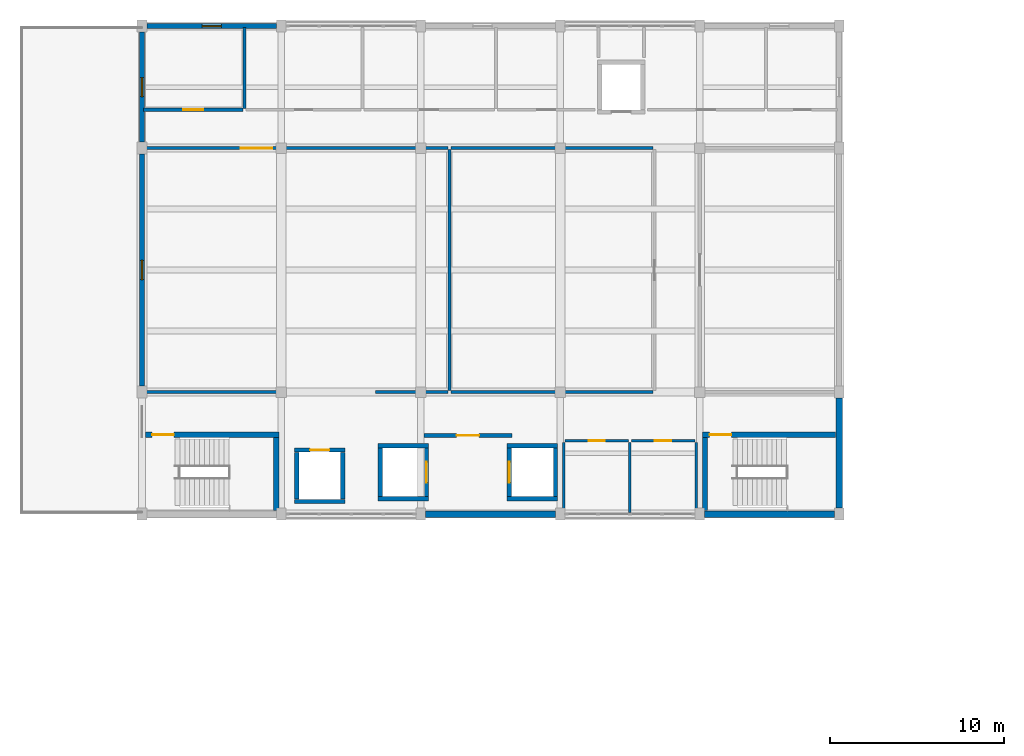
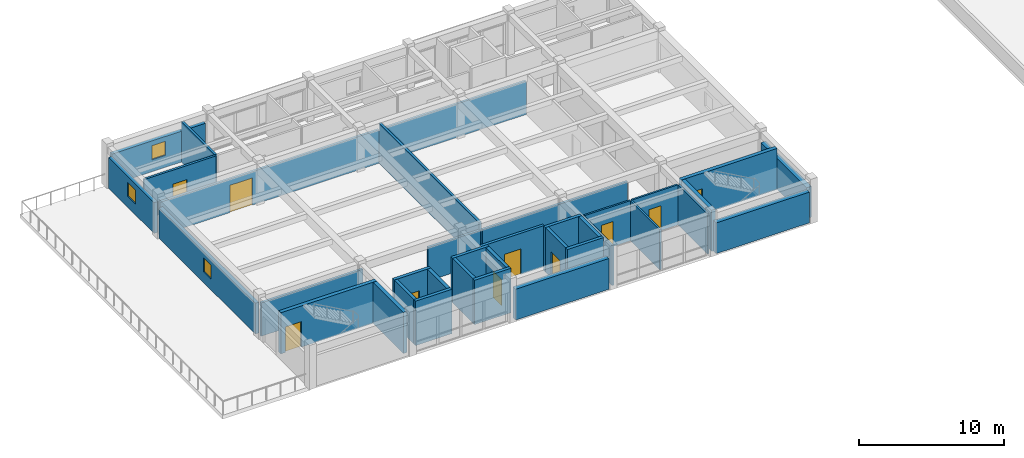
# One storey, part 6 of 10: 36 walls, 10 doors, 3 windows, 13 openings.
"""IFC4 building model written with IfcOpenShell, lengths in metres."""

import ifcopenshell
import ifcopenshell.guid

model = None  # the IFC model being written
_history = None  # IfcOwnerHistory: only IFC2X3 demands one
_inside = {}  # id of a spatial element -> (the spatial element, [elements in it])
_under = {}  # id of a project, library or spatial element -> (it, [spatial elements below it])
_declared = {}  # id of a project -> (the project, [libraries it declares])
_typed = {}  # id of a type object -> (the type object, [elements of that type])
_made_of = {}  # id of a material, layer set ... -> (it, [elements and type objects made of it])


def new_model(schema):
    """Start an empty IFC model of exactly this schema.

    Asked for "IFC4X3", IfcOpenShell would pick the latest addendum, in which some entities
    have other attributes; the version numbers below select the first issue.
    IFC2X3 requires an IfcOwnerHistory on every rooted entity: one is made here for all.
    """
    global model, _history
    if schema == "IFC4X3":
        model = ifcopenshell.file(schema_version=(4, 3, 0, 0))
    else:
        model = ifcopenshell.file(schema=schema)
    _inside.clear()
    _under.clear()
    _declared.clear()
    _typed.clear()
    _made_of.clear()
    _history = None
    if model.schema == "IFC2X3":
        org = make("IfcOrganization", Name="unknown")
        user = make(
            "IfcPersonAndOrganization",
            ThePerson=make("IfcPerson", FamilyName="unknown"),
            TheOrganization=org,
        )
        app = make(
            "IfcApplication",
            ApplicationDeveloper=org,
            Version="unknown",
            ApplicationFullName="unknown",
            ApplicationIdentifier="unknown",
        )
        _history = make(
            "IfcOwnerHistory",
            OwningUser=user,
            OwningApplication=app,
            ChangeAction="ADDED",
            CreationDate=0,
        )
    return model


def make(cls, **values):
    """One entity of the class cls with the attributes given. An attribute that is None is left unset."""
    return model.create_entity(
        cls, **{name: value for name, value in values.items() if value is not None}
    )


def rooted(cls, **values):
    """An entity with a GlobalId (a new one), such as an element, a storey or a relation."""
    return make(cls, GlobalId=ifcopenshell.guid.new(), OwnerHistory=_history, **values)


def si_unit(unit_type, name, prefix=None):
    """IfcSIUnit, for example si_unit("LENGTHUNIT", "METRE", prefix="MILLI")."""
    return make("IfcSIUnit", UnitType=unit_type, Prefix=prefix, Name=name)


def assignment(units):
    """IfcUnitAssignment: the units of a project."""
    return None if units is None else make("IfcUnitAssignment", Units=units)


def point(xyz):
    """IfcCartesianPoint."""
    return None if xyz is None else make("IfcCartesianPoint", Coordinates=xyz)


def direction(xyz):
    """IfcDirection."""
    return None if xyz is None else make("IfcDirection", DirectionRatios=xyz)


def frame(location, z_axis=None, x_axis=None):
    """IfcAxis2Placement3D, a coordinate frame: its origin and axes. An axis left out is left unset."""
    return make(
        "IfcAxis2Placement3D",
        Location=point(location),
        Axis=direction(z_axis),
        RefDirection=direction(x_axis),
    )


def frame_2d(location, x_axis=None):
    """IfcAxis2Placement2D, a coordinate frame in the plane: its origin and x axis."""
    return make(
        "IfcAxis2Placement2D", Location=point(location), RefDirection=direction(x_axis)
    )


def origin():
    """The frame at (0, 0, 0) with its axes left unset."""
    return frame((0.0, 0.0, 0.0))


def place(relative_to, where):
    """IfcLocalPlacement: puts the frame where relative to a parent placement (None: the world)."""
    return make(
        "IfcLocalPlacement", PlacementRelTo=relative_to, RelativePlacement=where
    )


def context(
    kind, dimensions, precision=None, world=None, true_north=None, identifier=None
):
    """IfcGeometricRepresentationContext, for example the 3D "Model" context."""
    return make(
        "IfcGeometricRepresentationContext",
        ContextIdentifier=identifier,
        ContextType=kind,
        CoordinateSpaceDimension=dimensions,
        Precision=precision,
        WorldCoordinateSystem=world,
        TrueNorth=true_north,
    )


def subcontext(parent, identifier, kind, view, scale=None):
    """IfcGeometricRepresentationSubContext, for example "Body" below "Model"."""
    return make(
        "IfcGeometricRepresentationSubContext",
        ContextIdentifier=identifier,
        ContextType=kind,
        ParentContext=parent,
        TargetScale=scale,
        TargetView=view,
    )


def project(units=None, contexts=None):
    """IfcProject with its units and contexts."""
    return rooted(
        "IfcProject",
        Name="project",
        RepresentationContexts=contexts,
        UnitsInContext=assignment(units),
    )


def spatial(cls, under=None, at=None, **own):
    """A site, building, storey or space (cls), placed at a placement, below another one or the project."""
    s = rooted(cls, ObjectPlacement=at, **own)
    if under is not None:
        _under.setdefault(under.id(), (under, []))[1].append(s)
    return s


def profile(cls, at=None, kind="AREA", **sizes):
    """A parametric profile (cls). Its sizes go by their IFC names, for example OverallWidth=200.0."""
    return make(cls, ProfileType=kind, Position=at, **sizes)


def rectangle(**sizes):
    """IfcRectangleProfileDef."""
    return profile("IfcRectangleProfileDef", **sizes)


def extrude(swept, where, along, depth):
    """IfcExtrudedAreaSolid: the profile swept, set in the frame where, extruded along a direction by depth."""
    return make(
        "IfcExtrudedAreaSolid",
        SweptArea=swept,
        Position=where,
        ExtrudedDirection=direction(along),
        Depth=depth,
    )


def shape(context_of_items, identifier, shape_type, items):
    """IfcShapeRepresentation: the items that make up one representation, for example the "Body"."""
    return make(
        "IfcShapeRepresentation",
        ContextOfItems=context_of_items,
        RepresentationIdentifier=identifier,
        RepresentationType=shape_type,
        Items=items,
    )


def material(Name=None, Category=None):
    """IfcMaterial."""
    return make("IfcMaterial", Name=Name, Category=Category)


def layer(
    of_material, thickness, ventilated=None, Name=None, Category=None, Priority=None
):
    """IfcMaterialLayer: one layer of a wall or slab, of a material (None: an air gap)."""
    return make(
        "IfcMaterialLayer",
        Material=of_material,
        LayerThickness=thickness,
        IsVentilated=ventilated,
        Name=Name,
        Category=Category,
        Priority=Priority,
    )


def layer_set(layers, Name=None):
    """IfcMaterialLayerSet."""
    return make("IfcMaterialLayerSet", MaterialLayers=layers, LayerSetName=Name)


def made_of(thing, what):
    """Note that an element or type object is made of a material, layer set ...; save() writes the relation."""
    if what is not None:
        _made_of.setdefault(what.id(), (what, []))[1].append(thing)
    return thing


def type_object(cls, material=None, **own):
    """A type object (cls), such as IfcWallType, which elements share."""
    return made_of(rooted(cls, **own), material)


def element(
    cls,
    number,
    at=None,
    inside=None,
    cuts=None,
    type_object=None,
    material=None,
    context=None,
    identifier="Body",
    shape_type=None,
    held_by="IfcProductDefinitionShape",
    body=None,
    shapes=None,
    **own,
):
    """One element of the class cls, such as IfcWall. Its Tag is "e" and its number.

    at: its placement. inside: the storey or other place that contains it. cuts: it is an
    opening in that element (IfcRelVoidsElement). A single representation is given by context,
    identifier, shape_type and body (its items); several are given by shapes. held_by: the class
    of the entity that holds the representations. save() writes the other relations.
    """
    e = rooted(cls, Tag="e%d" % number, ObjectPlacement=at, **own)
    if body is not None:
        shapes = [shape(context, identifier, shape_type, body)]
    if shapes is not None:
        e.Representation = make(held_by, Representations=shapes)
    if inside is not None:
        _inside.setdefault(inside.id(), (inside, []))[1].append(e)
    if cuts is not None:
        rooted(
            "IfcRelVoidsElement", RelatingBuildingElement=cuts, RelatedOpeningElement=e
        )
    if type_object is not None:
        _typed.setdefault(type_object.id(), (type_object, []))[1].append(e)
    return made_of(e, material)


def fill(opening, filler):
    """IfcRelFillsElement: the door or window that sits in an opening."""
    return rooted(
        "IfcRelFillsElement",
        RelatingOpeningElement=opening,
        RelatedBuildingElement=filler,
    )


def aggregate(whole, parts):
    """IfcRelAggregates: a whole, such as a stair, and the parts it consists of."""
    return rooted("IfcRelAggregates", RelatingObject=whole, RelatedObjects=parts)


def save(model, path):
    """Write the relations noted so far, then the file.

    IfcRelAggregates (storeys below a building ...), IfcRelContainedInSpatialStructure (elements
    in a storey), IfcRelDefinesByType, IfcRelAssociatesMaterial and IfcRelDeclares: one each for
    every whole, place, type object, material and project.
    """
    for whole, parts in _under.values():
        aggregate(whole, parts)
    for where, things in _inside.values():
        rooted(
            "IfcRelContainedInSpatialStructure",
            RelatedElements=things,
            RelatingStructure=where,
        )
    for kind, things in _typed.values():
        rooted("IfcRelDefinesByType", RelatedObjects=things, RelatingType=kind)
    for what, things in _made_of.values():
        rooted("IfcRelAssociatesMaterial", RelatedObjects=things, RelatingMaterial=what)
    for by, libraries in _declared.values():
        rooted("IfcRelDeclares", RelatingContext=by, RelatedDefinitions=libraries)
    model.write(path)


model = new_model("IFC4")

# Units and contexts
model_context = context("Model", 3, precision=1e-05, world=origin(), true_north=direction((0.0, 1.0)))
body_context = subcontext(model_context, "Body", "Model", "MODEL_VIEW")
ifc_project = project(units=[si_unit("LENGTHUNIT", "METRE"), si_unit("AREAUNIT", "SQUARE_METRE"), si_unit("VOLUMEUNIT", "CUBIC_METRE"), si_unit("PLANEANGLEUNIT", "RADIAN"), si_unit("MASSUNIT", "GRAM", prefix="KILO")], contexts=[model_context])

# Site, building, storey
site_placement = place(None, origin())
site = spatial("IfcSite", under=ifc_project, at=site_placement, CompositionType="ELEMENT")
building_placement = place(site_placement, origin())
building = spatial("IfcBuilding", under=site, at=building_placement, Name="Naurynzar Civic Courthouse", CompositionType="ELEMENT")
storey_placement = place(building_placement, frame((0.0, 0.0, 33.300048828125)))
storey = spatial("IfcBuildingStorey", under=building, at=storey_placement, Name="L09", CompositionType="ELEMENT", Elevation=33.300048828125)

# Walls
ifc_material_1 = material(Name="Acoustic Double-Stud Gypsum Partition")
ifc_layer_1 = layer(ifc_material_1, 0.18505859375)
ifc_layer_set_1 = layer_set([ifc_layer_1], Name="WL-ACOUSTIC-185")
wall_type_1 = type_object("IfcWallType", Name="WL-ACOUSTIC-185", PredefinedType="PARTITIONING", material=ifc_layer_set_1)
wall_1_placement = place(storey_placement, frame((69.080078125, 51.0, 0.0), z_axis=(0.0, 0.0, 1.0), x_axis=(1.0, 0.0, 0.0)))
element("IfcWall", 1, at=wall_1_placement, inside=storey, type_object=wall_type_1, Name="V2 interior partition L09.810", PredefinedType="PARTITIONING", context=body_context, shape_type="SweptSolid", body=[
    extrude(rectangle(XDim=8.119873046875, YDim=0.18505859375, at=frame_2d((4.06005859375, 0.0))), origin(), (0.0, 0.0, 1.0), 2.820068359375),
])
wall_2_placement = place(storey_placement, frame((82.39990234375, 51.0, 0.0), z_axis=(0.0, 0.0, 1.0), x_axis=(1.0, 0.0, 0.0)))
element("IfcWall", 2, at=wall_2_placement, inside=storey, type_object=wall_type_1, Name="V2 interior partition L09.811", PredefinedType="PARTITIONING", context=body_context, shape_type="SweptSolid", body=[
    extrude(rectangle(XDim=4.16015625, YDim=0.18505859375, at=frame_2d((2.080078125, 0.0))), origin(), (0.0, 0.0, 1.0), 2.820068359375),
])

# Wall, opening, door
wall_3_placement = place(storey_placement, frame((69.080078125, 65.0, 0.0), z_axis=(0.0, 0.0, 1.0), x_axis=(1.0, 0.0, 0.0)))
wall_3 = element("IfcWall", 3, at=wall_3_placement, inside=storey, type_object=wall_type_1, Name="V2 interior partition L09.814", PredefinedType="PARTITIONING", context=body_context, shape_type="SweptSolid", body=[
    extrude(rectangle(XDim=17.47998046875, YDim=0.18505859375, at=frame_2d((8.739990234375, 0.0))), origin(), (0.0, 0.0, 1.0), 2.820068359375),
])
opening_1_placement = place(wall_3_placement, frame((5.593017578125, 0.0, 0.0)))
opening_1 = element("IfcOpeningElement", 4, at=opening_1_placement, cuts=wall_3, Name="Opening D-200", PredefinedType="OPENING", context=body_context, shape_type="SweptSolid", body=[
    extrude(rectangle(XDim=1.800048828125, YDim=2.300048828125, at=frame_2d((0.89990234375, 1.14990234375))), frame((0.0, 0.1025390625, 0.0), z_axis=(0.0, -1.0, 0.0), x_axis=(1.0, 0.0, 0.0)), (0.0, 0.0, 1.0), 0.205078125),
])
ifc_material_2 = material(Name="Acoustic Oak Timber Grade A", Category="wood")
door_type_1 = type_object("IfcDoorType", Name="DR-COURT-DBL-1800x2300", OperationType="DOUBLE_DOOR_SINGLE_SWING", PredefinedType="DOOR", material=ifc_material_2)
door_1_placement = place(opening_1_placement, origin())
door_1 = element("IfcDoor", 5, at=door_1_placement, inside=storey, type_object=door_type_1, Name="Interior door D-200 (Appellate Civil Courtroom 9A)", OperationType="DOUBLE_DOOR_SINGLE_SWING", OverallHeight=2.300048828125, OverallWidth=1.800048828125, PredefinedType="DOOR", context=body_context, shape_type="SweptSolid", body=[
    extrude(rectangle(XDim=1.800048828125, YDim=2.300048828125, at=frame_2d((0.89990234375, 1.14990234375))), frame((0.0, 0.02490234375, 0.0), z_axis=(0.0, -1.0, 0.0), x_axis=(1.0, 0.0, 0.0)), (0.0, 0.0, 1.0), 0.050048828125),
])
fill(opening_1, door_1)

# Wall
wall_4_placement = place(storey_placement, frame((86.639892578125, 51.080078125, 0.0), z_axis=(0.0, 0.0, 1.0), x_axis=(0.0, 1.0, 0.0)))
element("IfcWall", 6, at=wall_4_placement, inside=storey, type_object=wall_type_1, Name="V2 interior partition L09.825", PredefinedType="PARTITIONING", context=body_context, shape_type="SweptSolid", body=[
    extrude(rectangle(XDim=13.83984375, YDim=0.18505859375, at=frame_2d((6.919921875, 0.0))), origin(), (0.0, 0.0, 1.0), 3.389892578125),
])

# Wall, opening, door
ifc_material_3 = material(Name="Concrete C40/50", Category="concrete")
ifc_layer_2 = layer(ifc_material_3, 0.300048828125)
ifc_layer_set_2 = layer_set([ifc_layer_2], Name="WL-CORE-300")
wall_type_2 = type_object("IfcWallType", Name="WL-CORE-300", PredefinedType="SHEAR", material=ifc_layer_set_2)
wall_5_placement = place(storey_placement, frame((76.85009765625, 48.550048828125, 0.0), z_axis=(0.0, 0.0, 1.0), x_axis=(-1.0, 0.0, 0.0)))
wall_5 = element("IfcWall", 7, at=wall_5_placement, inside=storey, type_object=wall_type_2, Name="Stair ST-V2A enclosure wall north L09", PredefinedType="SHEAR", context=body_context, shape_type="SweptSolid", body=[
    extrude(rectangle(XDim=7.655029296875, YDim=0.300048828125, at=frame_2d((3.82763671875, 0.0))), origin(), (0.0, 0.0, 1.0), 3.469970703125),
])
opening_2_placement = place(wall_5_placement, frame((6.02490234375, 0.0, 0.0)))
opening_2 = element("IfcOpeningElement", 8, at=opening_2_placement, cuts=wall_5, Name="Opening SD-032", PredefinedType="OPENING", context=body_context, shape_type="SweptSolid", body=[
    extrude(rectangle(XDim=1.25, YDim=2.14990234375, at=frame_2d((0.625, 1.074951171875))), frame((0.0, 0.159912109375, 0.0), z_axis=(0.0, -1.0, 0.0), x_axis=(1.0, 0.0, 0.0)), (0.0, 0.0, 1.0), 0.320068359375),
])
ifc_material_4 = material(Name="Powder-Coated Galvanised Steel", Category="steel")
door_type_2 = type_object("IfcDoorType", Name="DR-STAIR-1250x2150", OperationType="NOTDEFINED", PredefinedType="DOOR", material=ifc_material_4)
door_2_placement = place(opening_2_placement, origin())
door_2 = element("IfcDoor", 9, at=door_2_placement, inside=storey, type_object=door_type_2, Name="Stair ST-V2A fire door L09", OperationType="SINGLE_SWING_RIGHT", OverallHeight=2.14990234375, OverallWidth=1.25, PredefinedType="DOOR", context=body_context, shape_type="SweptSolid", body=[
    extrude(rectangle(XDim=1.25, YDim=2.14990234375, at=frame_2d((0.625, 1.074951171875))), frame((0.0, 0.02490234375, 0.0), z_axis=(0.0, -1.0, 0.0), x_axis=(1.0, 0.0, 0.0)), (0.0, 0.0, 1.0), 0.050048828125),
])
fill(opening_2, door_2)

# Wall
wall_6_placement = place(storey_placement, frame((76.699951171875, 44.195068359375, 0.0), z_axis=(0.0, 0.0, 1.0), x_axis=(0.0, 1.0, 0.0)))
element("IfcWall", 10, at=wall_6_placement, inside=storey, type_object=wall_type_2, Name="Stair ST-V2A enclosure wall east L09", PredefinedType="SHEAR", context=body_context, shape_type="SweptSolid", body=[
    extrude(rectangle(XDim=4.199951171875, YDim=0.300048828125, at=frame_2d((2.10009765625, 0.0))), origin(), (0.0, 0.0, 1.0), 3.469970703125),
])

# Wall, opening, door
wall_7_placement = place(storey_placement, frame((108.804931640625, 48.550048828125, 0.0), z_axis=(0.0, 0.0, 1.0), x_axis=(-1.0, 0.0, 0.0)))
wall_7 = element("IfcWall", 11, at=wall_7_placement, inside=storey, type_object=wall_type_2, Name="Stair ST-V2B enclosure wall north L09", PredefinedType="SHEAR", context=body_context, shape_type="SweptSolid", body=[
    extrude(rectangle(XDim=7.655029296875, YDim=0.300048828125, at=frame_2d((3.82763671875, 0.0))), origin(), (0.0, 0.0, 1.0), 3.469970703125),
])
opening_3_placement = place(wall_7_placement, frame((5.97998046875, 0.0, 0.0)))
opening_3 = element("IfcOpeningElement", 12, at=opening_3_placement, cuts=wall_7, Name="Opening SD-043", PredefinedType="OPENING", context=body_context, shape_type="SweptSolid", body=[
    extrude(rectangle(XDim=1.25, YDim=2.14990234375, at=frame_2d((0.625, 1.074951171875))), frame((0.0, 0.159912109375, 0.0), z_axis=(0.0, -1.0, 0.0), x_axis=(1.0, 0.0, 0.0)), (0.0, 0.0, 1.0), 0.320068359375),
])
door_3_placement = place(opening_3_placement, origin())
door_3 = element("IfcDoor", 13, at=door_3_placement, inside=storey, type_object=door_type_2, Name="Stair ST-V2B fire door L09", OperationType="SINGLE_SWING_LEFT", OverallHeight=2.14990234375, OverallWidth=1.25, PredefinedType="DOOR", context=body_context, shape_type="SweptSolid", body=[
    extrude(rectangle(XDim=1.25, YDim=2.14990234375, at=frame_2d((0.625, 1.074951171875))), frame((0.0, 0.02490234375, 0.0), z_axis=(0.0, -1.0, 0.0), x_axis=(1.0, 0.0, 0.0)), (0.0, 0.0, 1.0), 0.050048828125),
])
fill(opening_3, door_3)

# Wall
wall_8_placement = place(storey_placement, frame((101.300048828125, 48.39501953125, 0.0), z_axis=(0.0, 0.0, 1.0), x_axis=(0.0, -1.0, 0.0)))
element("IfcWall", 14, at=wall_8_placement, inside=storey, type_object=wall_type_2, Name="Stair ST-V2B enclosure wall west L09", PredefinedType="SHEAR", context=body_context, shape_type="SweptSolid", body=[
    extrude(rectangle(XDim=4.199951171875, YDim=0.300048828125, at=frame_2d((2.10009765625, 0.0))), origin(), (0.0, 0.0, 1.0), 3.469970703125),
])

# Wall, opening, window
ifc_material_5 = material(Name="Precast concrete C40/50", Category="concrete")
ifc_layer_3 = layer(ifc_material_5, 0.280029296875)
ifc_layer_set_3 = layer_set([ifc_layer_3], Name="WL-EXT-280")
wall_type_3 = type_object("IfcWallType", Name="WL-EXT-280", PredefinedType="SOLIDWALL", material=ifc_layer_set_3)
wall_9_placement = place(storey_placement, frame((69.0, 51.35009765625, 0.0), z_axis=(0.0, 0.0, 1.0), x_axis=(0.0, 1.0, 0.0)))
wall_9 = element("IfcWall", 15, at=wall_9_placement, inside=storey, type_object=wall_type_3, Name="V2 exterior wall west L09.2.1", PredefinedType="SOLIDWALL", context=body_context, shape_type="SweptSolid", body=[
    extrude(rectangle(XDim=13.2998046875, YDim=0.280029296875, at=frame_2d((6.64990234375, 0.0))), origin(), (0.0, 0.0, 1.0), 2.599853515625),
])
opening_4_placement = place(wall_9_placement, frame((6.10009765625, 0.0, 0.89990234375)))
opening_4 = element("IfcOpeningElement", 16, at=opening_4_placement, cuts=wall_9, Name="Opening WN-15", PredefinedType="OPENING", context=body_context, shape_type="SweptSolid", body=[
    extrude(rectangle(XDim=1.10009765625, YDim=1.199951171875, at=frame_2d((0.550048828125, 0.60009765625))), frame((0.0, 0.14990234375, 0.0), z_axis=(0.0, -1.0, 0.0), x_axis=(1.0, 0.0, 0.0)), (0.0, 0.0, 1.0), 0.300048828125),
])
ifc_material_6 = material(Name="Tempered Laminated Low-E Glass", Category="glass")
window_type = type_object("IfcWindowType", Name="WIN-SEC-1100x1200", PartitioningType="SINGLE_PANEL", PredefinedType="WINDOW", material=ifc_material_6)
window_1_placement = place(opening_4_placement, origin())
window_1 = element("IfcWindow", 17, at=window_1_placement, inside=storey, type_object=window_type, Name="V2 window 125 L09", OverallHeight=1.199951171875, OverallWidth=1.10009765625, PartitioningType="SINGLE_PANEL", PredefinedType="WINDOW", context=body_context, shape_type="SweptSolid", body=[
    extrude(rectangle(XDim=1.10009765625, YDim=1.199951171875, at=frame_2d((0.550048828125, 0.60009765625))), frame((0.0, 0.030029296875, 0.0), z_axis=(0.0, -1.0, 0.0), x_axis=(1.0, 0.0, 0.0)), (0.0, 0.0, 1.0), 0.06005859375),
])
fill(opening_4, window_1)

wall_10_placement = place(storey_placement, frame((69.0, 65.35009765625, 0.0), z_axis=(0.0, 0.0, 1.0), x_axis=(0.0, 1.0, 0.0)))
wall_10 = element("IfcWall", 18, at=wall_10_placement, inside=storey, type_object=wall_type_3, Name="V2 exterior wall west L09.3.1", PredefinedType="SOLIDWALL", context=body_context, shape_type="SweptSolid", body=[
    extrude(rectangle(XDim=6.2998046875, YDim=0.280029296875, at=frame_2d((3.14990234375, 0.0))), origin(), (0.0, 0.0, 1.0), 2.599853515625),
])
opening_5_placement = place(wall_10_placement, frame((2.60009765625, 0.0, 0.89990234375)))
opening_5 = element("IfcOpeningElement", 19, at=opening_5_placement, cuts=wall_10, Name="Opening WN-15", PredefinedType="OPENING", context=body_context, shape_type="SweptSolid", body=[
    extrude(rectangle(XDim=1.10009765625, YDim=1.199951171875, at=frame_2d((0.550048828125, 0.60009765625))), frame((0.0, 0.14990234375, 0.0), z_axis=(0.0, -1.0, 0.0), x_axis=(1.0, 0.0, 0.0)), (0.0, 0.0, 1.0), 0.300048828125),
])
window_2_placement = place(opening_5_placement, origin())
window_2 = element("IfcWindow", 20, at=window_2_placement, inside=storey, type_object=window_type, Name="V2 window 126 L09", OverallHeight=1.199951171875, OverallWidth=1.10009765625, PartitioningType="SINGLE_PANEL", PredefinedType="WINDOW", context=body_context, shape_type="SweptSolid", body=[
    extrude(rectangle(XDim=1.10009765625, YDim=1.199951171875, at=frame_2d((0.550048828125, 0.60009765625))), frame((0.0, 0.030029296875, 0.0), z_axis=(0.0, -1.0, 0.0), x_axis=(1.0, 0.0, 0.0)), (0.0, 0.0, 1.0), 0.06005859375),
])
fill(opening_5, window_2)

wall_11_placement = place(storey_placement, frame((69.27490234375, 72.0, 0.0), z_axis=(0.0, 0.0, 1.0), x_axis=(1.0, 0.0, 0.0)))
wall_11 = element("IfcWall", 21, at=wall_11_placement, inside=storey, type_object=wall_type_3, Name="V2 exterior wall north L09.1.1", PredefinedType="SOLIDWALL", context=body_context, shape_type="SweptSolid", body=[
    extrude(rectangle(XDim=7.4501953125, YDim=0.280029296875, at=frame_2d((3.72509765625, 0.0))), origin(), (0.0, 0.0, 1.0), 2.599853515625),
])
opening_6_placement = place(wall_11_placement, frame((3.175048828125, 0.0, 1.0)))
opening_6 = element("IfcOpeningElement", 22, at=opening_6_placement, cuts=wall_11, Name="Opening WN-15", PredefinedType="OPENING", context=body_context, shape_type="SweptSolid", body=[
    extrude(rectangle(XDim=1.10009765625, YDim=1.199951171875, at=frame_2d((0.550048828125, 0.60009765625))), frame((0.0, 0.14990234375, 0.0), z_axis=(0.0, -1.0, 0.0), x_axis=(1.0, 0.0, 0.0)), (0.0, 0.0, 1.0), 0.300048828125),
])
window_3_placement = place(opening_6_placement, origin())
window_3 = element("IfcWindow", 23, at=window_3_placement, inside=storey, type_object=window_type, Name="V2 window 127 L09", OverallHeight=1.199951171875, OverallWidth=1.10009765625, PartitioningType="SINGLE_PANEL", PredefinedType="WINDOW", context=body_context, shape_type="SweptSolid", body=[
    extrude(rectangle(XDim=1.10009765625, YDim=1.199951171875, at=frame_2d((0.550048828125, 0.60009765625))), frame((0.0, 0.030029296875, 0.0), z_axis=(0.0, -1.0, 0.0), x_axis=(1.0, 0.0, 0.0)), (0.0, 0.0, 1.0), 0.06005859375),
])
fill(opening_6, window_3)

# Wall, opening, door
ifc_material_7 = material(Name="Concrete C35/45", Category="concrete")
ifc_layer_4 = layer(ifc_material_7, 0.219970703125)
ifc_layer_set_4 = layer_set([ifc_layer_4], Name="WL-FFL-220")
wall_type_4 = type_object("IfcWallType", Name="WL-FFL-220", PredefinedType="SOLIDWALL", material=ifc_layer_set_4)
wall_12_placement = place(storey_placement, frame((85.179931640625, 48.510009765625, 0.0), z_axis=(0.0, 0.0, 1.0), x_axis=(1.0, 0.0, 0.0)))
wall_12 = element("IfcWall", 24, at=wall_12_placement, inside=storey, type_object=wall_type_4, Name="Firefighting lift lobby EI 120 wall CORE-V2 L09 north", PredefinedType="SOLIDWALL", context=body_context, shape_type="SweptSolid", body=[
    extrude(rectangle(XDim=5.0400390625, YDim=0.219970703125, at=frame_2d((2.52001953125, 0.0))), origin(), (0.0, 0.0, 1.0), 3.469970703125),
])
opening_7_placement = place(wall_12_placement, frame((1.8701171875, 0.0, 0.0)))
opening_7 = element("IfcOpeningElement", 25, at=opening_7_placement, cuts=wall_12, Name="Opening FD-10", PredefinedType="OPENING", context=body_context, shape_type="SweptSolid", body=[
    extrude(rectangle(XDim=1.300048828125, YDim=2.14990234375, at=frame_2d((0.64990234375, 1.074951171875))), frame((0.0, 0.119873046875, 0.0), z_axis=(0.0, -1.0, 0.0), x_axis=(1.0, 0.0, 0.0)), (0.0, 0.0, 1.0), 0.239990234375),
])
ifc_material_8 = material(Name="Powder-Coated Galvanised Steel", Category="steel")
door_type_3 = type_object("IfcDoorType", Name="DR-FFL-1300x2150", OperationType="NOTDEFINED", PredefinedType="DOOR", material=ifc_material_8)
door_4_placement = place(opening_7_placement, origin())
door_4 = element("IfcDoor", 26, at=door_4_placement, inside=storey, type_object=door_type_3, Name="Firefighting lift lobby door FD-10", OperationType="SINGLE_SWING_RIGHT", OverallHeight=2.14990234375, OverallWidth=1.300048828125, PredefinedType="DOOR", context=body_context, shape_type="SweptSolid", body=[
    extrude(rectangle(XDim=1.300048828125, YDim=2.14990234375, at=frame_2d((0.64990234375, 1.074951171875))), frame((0.0, 0.02490234375, 0.0), z_axis=(0.0, -1.0, 0.0), x_axis=(1.0, 0.0, 0.0)), (0.0, 0.0, 1.0), 0.050048828125),
])
fill(opening_7, door_4)

# Walls
ifc_material_9 = material(Name="Acoustic Double-Stud Gypsum Partition")
ifc_layer_5 = layer(ifc_material_9, 0.179931640625)
ifc_layer_set_5 = layer_set([ifc_layer_5], Name="WL-PART-JURY-180")
wall_type_5 = type_object("IfcWallType", Name="WL-PART-JURY-180", PredefinedType="PARTITIONING", material=ifc_layer_set_5)
for number, where, z_axis, x_axis, name in (
    (27, (86.719970703125, 51.0, 0.0), (0.0, 0.0, 1.0), (1.0, 0.0, 0.0), "V2 interior partition L09.812"),
    (28, (86.719970703125, 65.0, 0.0), (0.0, 0.0, 1.0), (1.0, 0.0, 0.0), "V2 interior partition L09.815"),
):
    element("IfcWall", number, at=place(storey_placement, frame(where, z_axis=z_axis, x_axis=x_axis)), inside=storey, type_object=wall_type_5, Name=name, PredefinedType="PARTITIONING", context=body_context, shape_type="SweptSolid", body=[
        extrude(rectangle(XDim=11.60009765625, YDim=0.179931640625, at=frame_2d((5.800048828125, 0.0))), origin(), (0.0, 0.0, 1.0), 2.820068359375),
    ])

# Wall, opening, door
wall_13_placement = place(storey_placement, frame((69.080078125, 67.199951171875, 0.0), z_axis=(0.0, 0.0, 1.0), x_axis=(1.0, 0.0, 0.0)))
wall_13 = element("IfcWall", 29, at=wall_13_placement, inside=storey, type_object=wall_type_5, Name="V2 interior partition L09.817", PredefinedType="PARTITIONING", context=body_context, shape_type="SweptSolid", body=[
    extrude(rectangle(XDim=5.72998046875, YDim=0.179931640625, at=frame_2d((2.864990234375, 0.0))), origin(), (0.0, 0.0, 1.0), 3.389892578125),
])
opening_8_placement = place(wall_13_placement, frame((2.2900390625, 0.0, 0.0)))
opening_8 = element("IfcOpeningElement", 30, at=opening_8_placement, cuts=wall_13, Name="Opening D-203", PredefinedType="OPENING", context=body_context, shape_type="SweptSolid", body=[
    extrude(rectangle(XDim=1.14990234375, YDim=2.199951171875, at=frame_2d((0.574951171875, 1.10009765625))), frame((0.0, 0.099853515625, 0.0), z_axis=(0.0, -1.0, 0.0), x_axis=(1.0, 0.0, 0.0)), (0.0, 0.0, 1.0), 0.199951171875),
])
ifc_material_10 = material(Name="Acoustic Oak Timber Grade A", Category="wood")
door_type_4 = type_object("IfcDoorType", Name="DR-JURY-1150x2200", OperationType="NOTDEFINED", PredefinedType="DOOR", material=ifc_material_10)
door_5_placement = place(opening_8_placement, origin())
door_5 = element("IfcDoor", 31, at=door_5_placement, inside=storey, type_object=door_type_4, Name="Interior door D-203 (Jury Room L09-N)", OperationType="SINGLE_SWING_LEFT", OverallHeight=2.199951171875, OverallWidth=1.14990234375, PredefinedType="DOOR", context=body_context, shape_type="SweptSolid", body=[
    extrude(rectangle(XDim=1.14990234375, YDim=2.199951171875, at=frame_2d((0.574951171875, 1.10009765625))), frame((0.0, 0.02490234375, 0.0), z_axis=(0.0, -1.0, 0.0), x_axis=(1.0, 0.0, 0.0)), (0.0, 0.0, 1.0), 0.050048828125),
])
fill(opening_8, door_5)

# Wall
wall_14_placement = place(storey_placement, frame((74.889892578125, 67.280029296875, 0.0), z_axis=(0.0, 0.0, 1.0), x_axis=(0.0, 1.0, 0.0)))
element("IfcWall", 32, at=wall_14_placement, inside=storey, type_object=wall_type_5, Name="V2 interior partition L09.823", PredefinedType="PARTITIONING", context=body_context, shape_type="SweptSolid", body=[
    extrude(rectangle(XDim=4.639892578125, YDim=0.179931640625, at=frame_2d((2.31982421875, 0.0))), origin(), (0.0, 0.0, 1.0), 3.389892578125),
])

# Wall, opening, door
ifc_material_11 = material(Name="Moisture-Resistant Plumbing Partition")
ifc_layer_6 = layer(ifc_material_11, 0.139892578125)
ifc_layer_set_6 = layer_set([ifc_layer_6], Name="WL-PART-WC-140")
wall_type_6 = type_object("IfcWallType", Name="WL-PART-WC-140", PredefinedType="PLUMBINGWALL", material=ifc_layer_set_6)
wall_15_placement = place(storey_placement, frame((93.280029296875, 48.199951171875, 0.0), z_axis=(0.0, 0.0, 1.0), x_axis=(1.0, 0.0, 0.0)))
wall_15 = element("IfcWall", 33, at=wall_15_placement, inside=storey, type_object=wall_type_6, Name="V2 interior partition L09.808", PredefinedType="PLUMBINGWALL", context=body_context, shape_type="SweptSolid", body=[
    extrude(rectangle(XDim=3.639892578125, YDim=0.139892578125, at=frame_2d((1.81982421875, 0.0))), origin(), (0.0, 0.0, 1.0), 3.389892578125),
])
opening_9_placement = place(wall_15_placement, frame((1.360107421875, 0.0, 0.0)))
opening_9 = element("IfcOpeningElement", 34, at=opening_9_placement, cuts=wall_15, Name="Opening D-198", PredefinedType="OPENING", context=body_context, shape_type="SweptSolid", body=[
    extrude(rectangle(XDim=0.919921875, YDim=2.10009765625, at=frame_2d((0.4599609375, 1.050048828125))), frame((0.0, 0.079833984375, 0.0), z_axis=(0.0, -1.0, 0.0), x_axis=(1.0, 0.0, 0.0)), (0.0, 0.0, 1.0), 0.159912109375),
])
ifc_material_12 = material(Name="Acoustic Oak Timber Grade A", Category="wood")
door_type_5 = type_object("IfcDoorType", Name="DR-WC-STD-920x2100", OperationType="NOTDEFINED", PredefinedType="DOOR", material=ifc_material_12)
door_6_placement = place(opening_9_placement, origin())
door_6 = element("IfcDoor", 35, at=door_6_placement, inside=storey, type_object=door_type_5, Name="Interior door D-198 (Public WC V2)", OperationType="SINGLE_SWING_RIGHT", OverallHeight=2.10009765625, OverallWidth=0.919921875, PredefinedType="DOOR", context=body_context, shape_type="SweptSolid", body=[
    extrude(rectangle(XDim=0.919921875, YDim=2.10009765625, at=frame_2d((0.4599609375, 1.050048828125))), frame((0.0, 0.02490234375, 0.0), z_axis=(0.0, -1.0, 0.0), x_axis=(1.0, 0.0, 0.0)), (0.0, 0.0, 1.0), 0.050048828125),
])
fill(opening_9, door_6)

wall_16_placement = place(storey_placement, frame((97.080078125, 48.199951171875, 0.0), z_axis=(0.0, 0.0, 1.0), x_axis=(1.0, 0.0, 0.0)))
wall_16 = element("IfcWall", 36, at=wall_16_placement, inside=storey, type_object=wall_type_6, Name="V2 interior partition L09.809", PredefinedType="PLUMBINGWALL", context=body_context, shape_type="SweptSolid", body=[
    extrude(rectangle(XDim=3.639892578125, YDim=0.139892578125, at=frame_2d((1.81982421875, 0.0))), origin(), (0.0, 0.0, 1.0), 3.389892578125),
])
opening_10_placement = place(wall_16_placement, frame((1.340087890625, 0.0, 0.0)))
opening_10 = element("IfcOpeningElement", 37, at=opening_10_placement, cuts=wall_16, Name="Opening D-199", PredefinedType="OPENING", context=body_context, shape_type="SweptSolid", body=[
    extrude(rectangle(XDim=0.9599609375, YDim=2.10009765625, at=frame_2d((0.47998046875, 1.050048828125))), frame((0.0, 0.079833984375, 0.0), z_axis=(0.0, -1.0, 0.0), x_axis=(1.0, 0.0, 0.0)), (0.0, 0.0, 1.0), 0.159912109375),
])
ifc_material_13 = material(Name="Acoustic Oak Timber Grade A", Category="wood")
door_type_6 = type_object("IfcDoorType", Name="DR-WC-ACC-960x2100", OperationType="NOTDEFINED", PredefinedType="DOOR", material=ifc_material_13)
door_7_placement = place(opening_10_placement, origin())
door_7 = element("IfcDoor", 38, at=door_7_placement, inside=storey, type_object=door_type_6, Name="Interior door D-199 (Accessible WC V2)", OperationType="SINGLE_SWING_LEFT", OverallHeight=2.10009765625, OverallWidth=0.9599609375, PredefinedType="DOOR", context=body_context, shape_type="SweptSolid", body=[
    extrude(rectangle(XDim=0.9599609375, YDim=2.10009765625, at=frame_2d((0.47998046875, 1.050048828125))), frame((0.0, 0.02490234375, 0.0), z_axis=(0.0, -1.0, 0.0), x_axis=(1.0, 0.0, 0.0)), (0.0, 0.0, 1.0), 0.050048828125),
])
fill(opening_10, door_7)

# Walls
for number, where, z_axis, x_axis, name in (
    (39, (93.199951171875, 44.080078125, 0.0), (0.0, 0.0, 1.0), (0.0, 1.0, 0.0), "V2 interior partition L09.827"),
    (40, (97.0, 44.080078125, 0.0), (0.0, 0.0, 1.0), (0.0, 1.0, 0.0), "V2 interior partition L09.829"),
    (41, (100.800048828125, 44.080078125, 0.0), (0.0, 0.0, 1.0), (0.0, 1.0, 0.0), "V2 interior partition L09.832"),
):
    element("IfcWall", number, at=place(storey_placement, frame(where, z_axis=z_axis, x_axis=x_axis)), inside=storey, type_object=wall_type_6, Name=name, PredefinedType="PLUMBINGWALL", context=body_context, shape_type="SweptSolid", body=[
        extrude(rectangle(XDim=4.0400390625, YDim=0.139892578125, at=frame_2d((2.02001953125, 0.0))), origin(), (0.0, 0.0, 1.0), 3.389892578125),
    ])
ifc_material_14 = material(Name="Concrete C40/50", Category="concrete")
ifc_layer_7 = layer(ifc_material_14, 0.3798828125)
ifc_layer_set_7 = layer_set([ifc_layer_7], Name="WL-RET-380")
wall_type_7 = type_object("IfcWallType", Name="WL-RET-380", PredefinedType="STANDARD", material=ifc_layer_set_7)
wall_17_placement = place(storey_placement, frame((109.0, 50.64990234375, 0.0), z_axis=(0.0, 0.0, 1.0), x_axis=(0.0, -1.0, 0.0)))
element("IfcWall", 42, at=wall_17_placement, inside=storey, type_object=wall_type_7, Name="V2 exterior wall east L09.3.1", PredefinedType="STANDARD", context=body_context, shape_type="SweptSolid", body=[
    extrude(rectangle(XDim=6.2998046875, YDim=0.3798828125, at=frame_2d((3.14990234375, 0.0))), origin(), (0.0, 0.0, 1.0), 2.599853515625),
])
for number, where, z_axis, x_axis, name in (
    (43, (108.72509765625, 44.0, 0.0), (0.0, 0.0, 1.0), (-1.0, 0.0, 0.0), "V2 exterior wall south L09.1.1"),
    (44, (92.72509765625, 44.0, 0.0), (0.0, 0.0, 1.0), (-1.0, 0.0, 0.0), "V2 exterior wall south L09.3.1"),
):
    element("IfcWall", number, at=place(storey_placement, frame(where, z_axis=z_axis, x_axis=x_axis)), inside=storey, type_object=wall_type_7, Name=name, PredefinedType="STANDARD", context=body_context, shape_type="SweptSolid", body=[
        extrude(rectangle(XDim=7.4501953125, YDim=0.3798828125, at=frame_2d((3.72509765625, 0.0))), origin(), (0.0, 0.0, 1.0), 2.599853515625),
    ])
ifc_material_15 = material(Name="Concrete C40/50", Category="concrete")
ifc_layer_8 = layer(ifc_material_15, 0.25)
ifc_layer_set_8 = layer_set([ifc_layer_8], Name="WL-SHAFT-250")
wall_type_8 = type_object("IfcWallType", Name="WL-SHAFT-250", PredefinedType="SHEAR", material=ifc_layer_set_8)
wall_18_placement = place(storey_placement, frame((77.75, 44.72509765625, 0.0), z_axis=(0.0, 0.0, 1.0), x_axis=(1.0, 0.0, 0.0)))
element("IfcWall", 45, at=wall_18_placement, inside=storey, type_object=wall_type_8, Name="Lift LP-03 shaft wall south L09", PredefinedType="SHEAR", context=body_context, shape_type="SweptSolid", body=[
    extrude(rectangle(XDim=2.89990234375, YDim=0.25, at=frame_2d((1.449951171875, 0.0))), origin(), (0.0, 0.0, 1.0), 3.75),
])

# Wall, opening, door
wall_19_placement = place(storey_placement, frame((80.64990234375, 47.675048828125, 0.0), z_axis=(0.0, 0.0, 1.0), x_axis=(-1.0, 0.0, 0.0)))
wall_19 = element("IfcWall", 46, at=wall_19_placement, inside=storey, type_object=wall_type_8, Name="Lift LP-03 shaft wall north L09", PredefinedType="SHEAR", context=body_context, shape_type="SweptSolid", body=[
    extrude(rectangle(XDim=2.89990234375, YDim=0.25, at=frame_2d((1.449951171875, 0.0))), origin(), (0.0, 0.0, 1.0), 3.75),
])
opening_11_placement = place(wall_19_placement, frame((0.89990234375, 0.0, 0.0)))
opening_11 = element("IfcOpeningElement", 47, at=opening_11_placement, cuts=wall_19, Name="Opening LD-026", PredefinedType="OPENING", context=body_context, shape_type="SweptSolid", body=[
    extrude(rectangle(XDim=1.10009765625, YDim=2.14990234375, at=frame_2d((0.550048828125, 1.074951171875))), frame((0.0, 0.135009765625, 0.0), z_axis=(0.0, -1.0, 0.0), x_axis=(1.0, 0.0, 0.0)), (0.0, 0.0, 1.0), 0.27001953125),
])
ifc_material_16 = material(Name="Brushed Stainless Steel 304", Category="steel")
door_type_7 = type_object("IfcDoorType", Name="DR-LIFT-SLIDE-1100x2150", OperationType="DOUBLE_DOOR_SLIDING", PredefinedType="DOOR", material=ifc_material_16)
door_8_placement = place(opening_11_placement, origin())
door_8 = element("IfcDoor", 48, at=door_8_placement, inside=storey, type_object=door_type_7, Name="Lift LP-03 sliding landing door L09", OperationType="DOUBLE_DOOR_SLIDING", OverallHeight=2.14990234375, OverallWidth=1.10009765625, PredefinedType="DOOR", context=body_context, shape_type="SweptSolid", body=[
    extrude(rectangle(XDim=1.10009765625, YDim=2.14990234375, at=frame_2d((0.550048828125, 1.074951171875))), frame((0.0, 0.02490234375, 0.0), z_axis=(0.0, -1.0, 0.0), x_axis=(1.0, 0.0, 0.0)), (0.0, 0.0, 1.0), 0.050048828125),
])
fill(opening_11, door_8)

# Walls
for number, where, z_axis, x_axis, name in (
    (49, (77.875, 47.544921875, 0.0), (0.0, 0.0, 1.0), (0.0, -1.0, 0.0), "Lift LP-03 shaft wall west L09"),
    (50, (80.52490234375, 44.85498046875, 0.0), (0.0, 0.0, 1.0), (0.0, 1.0, 0.0), "Lift LP-03 shaft wall east L09"),
):
    element("IfcWall", number, at=place(storey_placement, frame(where, z_axis=z_axis, x_axis=x_axis)), inside=storey, type_object=wall_type_8, Name=name, PredefinedType="SHEAR", context=body_context, shape_type="SweptSolid", body=[
        extrude(rectangle(XDim=2.68994140625, YDim=0.25, at=frame_2d((1.344970703125, 0.0))), origin(), (0.0, 0.0, 1.0), 3.75),
    ])
for number, where, z_axis, x_axis, name in (
    (51, (82.550048828125, 44.875, 0.0), (0.0, 0.0, 1.0), (1.0, 0.0, 0.0), "Lift FL-02 shaft wall south L09"),
    (52, (85.449951171875, 47.925048828125, 0.0), (0.0, 0.0, 1.0), (-1.0, 0.0, 0.0), "Lift FL-02 shaft wall north L09"),
):
    element("IfcWall", number, at=place(storey_placement, frame(where, z_axis=z_axis, x_axis=x_axis)), inside=storey, type_object=wall_type_8, Name=name, PredefinedType="SHEAR", context=body_context, shape_type="SweptSolid", body=[
        extrude(rectangle(XDim=2.89990234375, YDim=0.25, at=frame_2d((1.449951171875, 0.0))), origin(), (0.0, 0.0, 1.0), 3.75),
    ])
wall_20_placement = place(storey_placement, frame((82.675048828125, 47.794921875, 0.0), z_axis=(0.0, 0.0, 1.0), x_axis=(0.0, -1.0, 0.0)))
element("IfcWall", 53, at=wall_20_placement, inside=storey, type_object=wall_type_8, Name="Lift FL-02 shaft wall west L09", PredefinedType="SHEAR", context=body_context, shape_type="SweptSolid", body=[
    extrude(rectangle(XDim=2.7900390625, YDim=0.25, at=frame_2d((1.39501953125, 0.0))), origin(), (0.0, 0.0, 1.0), 3.75),
])

# Wall, opening, door
wall_21_placement = place(storey_placement, frame((85.324951171875, 45.0048828125, 0.0), z_axis=(0.0, 0.0, 1.0), x_axis=(0.0, 1.0, 0.0)))
wall_21 = element("IfcWall", 54, at=wall_21_placement, inside=storey, type_object=wall_type_8, Name="Lift FL-02 shaft wall east L09", PredefinedType="SHEAR", context=body_context, shape_type="SweptSolid", body=[
    extrude(rectangle(XDim=2.7900390625, YDim=0.25, at=frame_2d((1.39501953125, 0.0))), origin(), (0.0, 0.0, 1.0), 3.75),
])
opening_12_placement = place(wall_21_placement, frame((0.794921875, 0.0, 0.0)))
opening_12 = element("IfcOpeningElement", 55, at=opening_12_placement, cuts=wall_21, Name="Opening LD-037", PredefinedType="OPENING", context=body_context, shape_type="SweptSolid", body=[
    extrude(rectangle(XDim=1.199951171875, YDim=2.199951171875, at=frame_2d((0.60009765625, 1.10009765625))), frame((0.0, 0.135009765625, 0.0), z_axis=(0.0, -1.0, 0.0), x_axis=(1.0, 0.0, 0.0)), (0.0, 0.0, 1.0), 0.27001953125),
])
ifc_material_17 = material(Name="Brushed Stainless Steel 304", Category="steel")
door_type_8 = type_object("IfcDoorType", Name="DR-LIFT-FF-1200x2200", OperationType="DOUBLE_DOOR_SLIDING", PredefinedType="DOOR", material=ifc_material_17)
door_9_placement = place(opening_12_placement, origin())
door_9 = element("IfcDoor", 56, at=door_9_placement, inside=storey, type_object=door_type_8, Name="Lift FL-02 sliding landing door L09", OperationType="DOUBLE_DOOR_SLIDING", OverallHeight=2.199951171875, OverallWidth=1.199951171875, PredefinedType="DOOR", context=body_context, shape_type="SweptSolid", body=[
    extrude(rectangle(XDim=1.199951171875, YDim=2.199951171875, at=frame_2d((0.60009765625, 1.10009765625))), frame((0.0, 0.02490234375, 0.0), z_axis=(0.0, -1.0, 0.0), x_axis=(1.0, 0.0, 0.0)), (0.0, 0.0, 1.0), 0.050048828125),
])
fill(opening_12, door_9)

# Walls
for number, where, z_axis, x_axis, name in (
    (57, (89.949951171875, 44.875, 0.0), (0.0, 0.0, 1.0), (1.0, 0.0, 0.0), "Lift FL-01 shaft wall south L09"),
    (58, (92.85009765625, 47.925048828125, 0.0), (0.0, 0.0, 1.0), (-1.0, 0.0, 0.0), "Lift FL-01 shaft wall north L09"),
):
    element("IfcWall", number, at=place(storey_placement, frame(where, z_axis=z_axis, x_axis=x_axis)), inside=storey, type_object=wall_type_8, Name=name, PredefinedType="SHEAR", context=body_context, shape_type="SweptSolid", body=[
        extrude(rectangle(XDim=2.900146484375, YDim=0.25, at=frame_2d((1.4501953125, 0.0))), origin(), (0.0, 0.0, 1.0), 3.75),
    ])

# Wall, opening, door
wall_22_placement = place(storey_placement, frame((90.074951171875, 47.794921875, 0.0), z_axis=(0.0, 0.0, 1.0), x_axis=(0.0, -1.0, 0.0)))
wall_22 = element("IfcWall", 59, at=wall_22_placement, inside=storey, type_object=wall_type_8, Name="Lift FL-01 shaft wall west L09", PredefinedType="SHEAR", context=body_context, shape_type="SweptSolid", body=[
    extrude(rectangle(XDim=2.7900390625, YDim=0.25, at=frame_2d((1.39501953125, 0.0))), origin(), (0.0, 0.0, 1.0), 3.75),
])
opening_13_placement = place(wall_22_placement, frame((0.794921875, 0.0, 0.0)))
opening_13 = element("IfcOpeningElement", 60, at=opening_13_placement, cuts=wall_22, Name="Opening LD-048", PredefinedType="OPENING", context=body_context, shape_type="SweptSolid", body=[
    extrude(rectangle(XDim=1.199951171875, YDim=2.199951171875, at=frame_2d((0.60009765625, 1.10009765625))), frame((0.0, 0.135009765625, 0.0), z_axis=(0.0, -1.0, 0.0), x_axis=(1.0, 0.0, 0.0)), (0.0, 0.0, 1.0), 0.27001953125),
])
door_10_placement = place(opening_13_placement, origin())
door_10 = element("IfcDoor", 61, at=door_10_placement, inside=storey, type_object=door_type_8, Name="Lift FL-01 sliding landing door L09", OperationType="DOUBLE_DOOR_SLIDING", OverallHeight=2.199951171875, OverallWidth=1.199951171875, PredefinedType="DOOR", context=body_context, shape_type="SweptSolid", body=[
    extrude(rectangle(XDim=1.199951171875, YDim=2.199951171875, at=frame_2d((0.60009765625, 1.10009765625))), frame((0.0, 0.02490234375, 0.0), z_axis=(0.0, -1.0, 0.0), x_axis=(1.0, 0.0, 0.0)), (0.0, 0.0, 1.0), 0.050048828125),
])
fill(opening_13, door_10)

# Wall
wall_23_placement = place(storey_placement, frame((92.72509765625, 45.0048828125, 0.0), z_axis=(0.0, 0.0, 1.0), x_axis=(0.0, 1.0, 0.0)))
element("IfcWall", 62, at=wall_23_placement, inside=storey, type_object=wall_type_8, Name="Lift FL-01 shaft wall east L09", PredefinedType="SHEAR", context=body_context, shape_type="SweptSolid", body=[
    extrude(rectangle(XDim=2.7900390625, YDim=0.25, at=frame_2d((1.39501953125, 0.0))), origin(), (0.0, 0.0, 1.0), 3.75),
])

save(model, "model.ifc")
